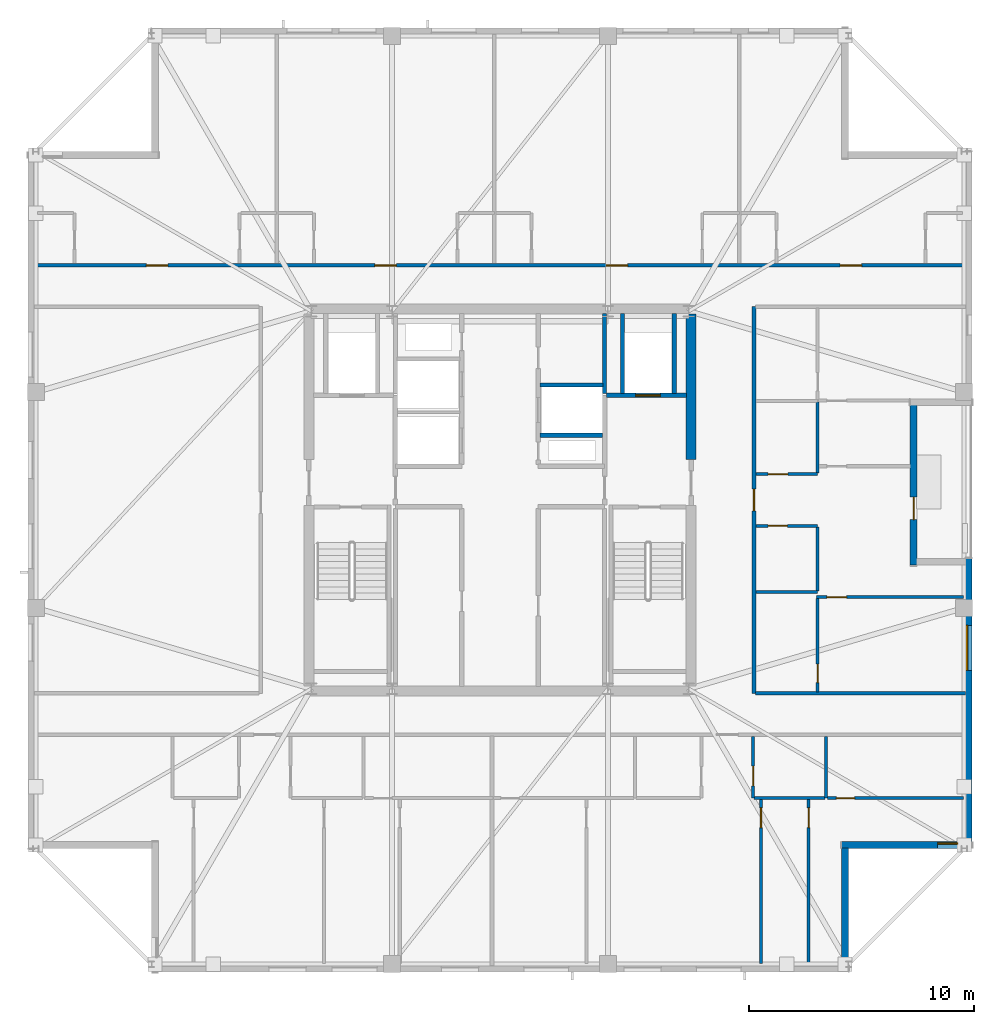
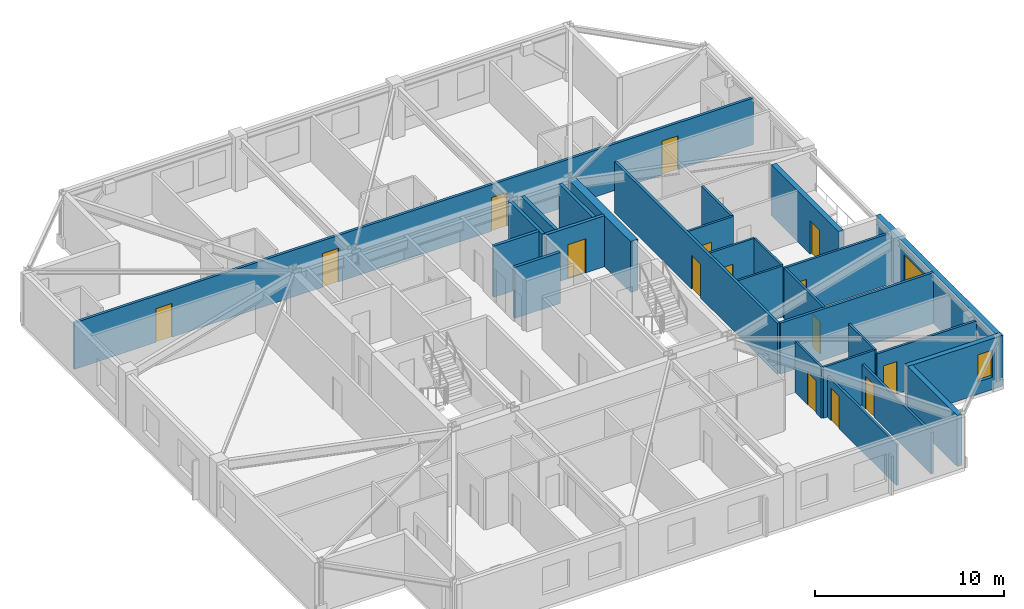
# One storey, part 9 of 14: 27 walls, 15 doors, 2 windows, 17 openings.
"""IFC4 building model written with IfcOpenShell, lengths in metres."""

import ifcopenshell
import ifcopenshell.guid

model = None  # the IFC model being written
_history = None  # IfcOwnerHistory: only IFC2X3 demands one
_inside = {}  # id of a spatial element -> (the spatial element, [elements in it])
_under = {}  # id of a project, library or spatial element -> (it, [spatial elements below it])
_declared = {}  # id of a project -> (the project, [libraries it declares])
_typed = {}  # id of a type object -> (the type object, [elements of that type])
_made_of = {}  # id of a material, layer set ... -> (it, [elements and type objects made of it])


def new_model(schema):
    """Start an empty IFC model of exactly this schema.

    Asked for "IFC4X3", IfcOpenShell would pick the latest addendum, in which some entities
    have other attributes; the version numbers below select the first issue.
    IFC2X3 requires an IfcOwnerHistory on every rooted entity: one is made here for all.
    """
    global model, _history
    if schema == "IFC4X3":
        model = ifcopenshell.file(schema_version=(4, 3, 0, 0))
    else:
        model = ifcopenshell.file(schema=schema)
    _inside.clear()
    _under.clear()
    _declared.clear()
    _typed.clear()
    _made_of.clear()
    _history = None
    if model.schema == "IFC2X3":
        org = make("IfcOrganization", Name="unknown")
        user = make(
            "IfcPersonAndOrganization",
            ThePerson=make("IfcPerson", FamilyName="unknown"),
            TheOrganization=org,
        )
        app = make(
            "IfcApplication",
            ApplicationDeveloper=org,
            Version="unknown",
            ApplicationFullName="unknown",
            ApplicationIdentifier="unknown",
        )
        _history = make(
            "IfcOwnerHistory",
            OwningUser=user,
            OwningApplication=app,
            ChangeAction="ADDED",
            CreationDate=0,
        )
    return model


def make(cls, **values):
    """One entity of the class cls with the attributes given. An attribute that is None is left unset."""
    return model.create_entity(
        cls, **{name: value for name, value in values.items() if value is not None}
    )


def rooted(cls, **values):
    """An entity with a GlobalId (a new one), such as an element, a storey or a relation."""
    return make(cls, GlobalId=ifcopenshell.guid.new(), OwnerHistory=_history, **values)


def si_unit(unit_type, name, prefix=None):
    """IfcSIUnit, for example si_unit("LENGTHUNIT", "METRE", prefix="MILLI")."""
    return make("IfcSIUnit", UnitType=unit_type, Prefix=prefix, Name=name)


def assignment(units):
    """IfcUnitAssignment: the units of a project."""
    return None if units is None else make("IfcUnitAssignment", Units=units)


def point(xyz):
    """IfcCartesianPoint."""
    return None if xyz is None else make("IfcCartesianPoint", Coordinates=xyz)


def direction(xyz):
    """IfcDirection."""
    return None if xyz is None else make("IfcDirection", DirectionRatios=xyz)


def frame(location, z_axis=None, x_axis=None):
    """IfcAxis2Placement3D, a coordinate frame: its origin and axes. An axis left out is left unset."""
    return make(
        "IfcAxis2Placement3D",
        Location=point(location),
        Axis=direction(z_axis),
        RefDirection=direction(x_axis),
    )


def frame_2d(location, x_axis=None):
    """IfcAxis2Placement2D, a coordinate frame in the plane: its origin and x axis."""
    return make(
        "IfcAxis2Placement2D", Location=point(location), RefDirection=direction(x_axis)
    )


def origin():
    """The frame at (0, 0, 0) with its axes left unset."""
    return frame((0.0, 0.0, 0.0))


def place(relative_to, where):
    """IfcLocalPlacement: puts the frame where relative to a parent placement (None: the world)."""
    return make(
        "IfcLocalPlacement", PlacementRelTo=relative_to, RelativePlacement=where
    )


def context(
    kind, dimensions, precision=None, world=None, true_north=None, identifier=None
):
    """IfcGeometricRepresentationContext, for example the 3D "Model" context."""
    return make(
        "IfcGeometricRepresentationContext",
        ContextIdentifier=identifier,
        ContextType=kind,
        CoordinateSpaceDimension=dimensions,
        Precision=precision,
        WorldCoordinateSystem=world,
        TrueNorth=true_north,
    )


def subcontext(parent, identifier, kind, view, scale=None):
    """IfcGeometricRepresentationSubContext, for example "Body" below "Model"."""
    return make(
        "IfcGeometricRepresentationSubContext",
        ContextIdentifier=identifier,
        ContextType=kind,
        ParentContext=parent,
        TargetScale=scale,
        TargetView=view,
    )


def project(units=None, contexts=None):
    """IfcProject with its units and contexts."""
    return rooted(
        "IfcProject",
        Name="project",
        RepresentationContexts=contexts,
        UnitsInContext=assignment(units),
    )


def spatial(cls, under=None, at=None, **own):
    """A site, building, storey or space (cls), placed at a placement, below another one or the project."""
    s = rooted(cls, ObjectPlacement=at, **own)
    if under is not None:
        _under.setdefault(under.id(), (under, []))[1].append(s)
    return s


def profile(cls, at=None, kind="AREA", **sizes):
    """A parametric profile (cls). Its sizes go by their IFC names, for example OverallWidth=200.0."""
    return make(cls, ProfileType=kind, Position=at, **sizes)


def rectangle(**sizes):
    """IfcRectangleProfileDef."""
    return profile("IfcRectangleProfileDef", **sizes)


def extrude(swept, where, along, depth):
    """IfcExtrudedAreaSolid: the profile swept, set in the frame where, extruded along a direction by depth."""
    return make(
        "IfcExtrudedAreaSolid",
        SweptArea=swept,
        Position=where,
        ExtrudedDirection=direction(along),
        Depth=depth,
    )


def shape(context_of_items, identifier, shape_type, items):
    """IfcShapeRepresentation: the items that make up one representation, for example the "Body"."""
    return make(
        "IfcShapeRepresentation",
        ContextOfItems=context_of_items,
        RepresentationIdentifier=identifier,
        RepresentationType=shape_type,
        Items=items,
    )


def material(Name=None, Category=None):
    """IfcMaterial."""
    return make("IfcMaterial", Name=Name, Category=Category)


def layer(
    of_material, thickness, ventilated=None, Name=None, Category=None, Priority=None
):
    """IfcMaterialLayer: one layer of a wall or slab, of a material (None: an air gap)."""
    return make(
        "IfcMaterialLayer",
        Material=of_material,
        LayerThickness=thickness,
        IsVentilated=ventilated,
        Name=Name,
        Category=Category,
        Priority=Priority,
    )


def layer_set(layers, Name=None):
    """IfcMaterialLayerSet."""
    return make("IfcMaterialLayerSet", MaterialLayers=layers, LayerSetName=Name)


def made_of(thing, what):
    """Note that an element or type object is made of a material, layer set ...; save() writes the relation."""
    if what is not None:
        _made_of.setdefault(what.id(), (what, []))[1].append(thing)
    return thing


def type_object(cls, material=None, **own):
    """A type object (cls), such as IfcWallType, which elements share."""
    return made_of(rooted(cls, **own), material)


def element(
    cls,
    number,
    at=None,
    inside=None,
    cuts=None,
    type_object=None,
    material=None,
    context=None,
    identifier="Body",
    shape_type=None,
    held_by="IfcProductDefinitionShape",
    body=None,
    shapes=None,
    **own,
):
    """One element of the class cls, such as IfcWall. Its Tag is "e" and its number.

    at: its placement. inside: the storey or other place that contains it. cuts: it is an
    opening in that element (IfcRelVoidsElement). A single representation is given by context,
    identifier, shape_type and body (its items); several are given by shapes. held_by: the class
    of the entity that holds the representations. save() writes the other relations.
    """
    e = rooted(cls, Tag="e%d" % number, ObjectPlacement=at, **own)
    if body is not None:
        shapes = [shape(context, identifier, shape_type, body)]
    if shapes is not None:
        e.Representation = make(held_by, Representations=shapes)
    if inside is not None:
        _inside.setdefault(inside.id(), (inside, []))[1].append(e)
    if cuts is not None:
        rooted(
            "IfcRelVoidsElement", RelatingBuildingElement=cuts, RelatedOpeningElement=e
        )
    if type_object is not None:
        _typed.setdefault(type_object.id(), (type_object, []))[1].append(e)
    return made_of(e, material)


def fill(opening, filler):
    """IfcRelFillsElement: the door or window that sits in an opening."""
    return rooted(
        "IfcRelFillsElement",
        RelatingOpeningElement=opening,
        RelatedBuildingElement=filler,
    )


def aggregate(whole, parts):
    """IfcRelAggregates: a whole, such as a stair, and the parts it consists of."""
    return rooted("IfcRelAggregates", RelatingObject=whole, RelatedObjects=parts)


def save(model, path):
    """Write the relations noted so far, then the file.

    IfcRelAggregates (storeys below a building ...), IfcRelContainedInSpatialStructure (elements
    in a storey), IfcRelDefinesByType, IfcRelAssociatesMaterial and IfcRelDeclares: one each for
    every whole, place, type object, material and project.
    """
    for whole, parts in _under.values():
        aggregate(whole, parts)
    for where, things in _inside.values():
        rooted(
            "IfcRelContainedInSpatialStructure",
            RelatedElements=things,
            RelatingStructure=where,
        )
    for kind, things in _typed.values():
        rooted("IfcRelDefinesByType", RelatedObjects=things, RelatingType=kind)
    for what, things in _made_of.values():
        rooted("IfcRelAssociatesMaterial", RelatedObjects=things, RelatingMaterial=what)
    for by, libraries in _declared.values():
        rooted("IfcRelDeclares", RelatingContext=by, RelatedDefinitions=libraries)
    model.write(path)


model = new_model("IFC4")

# Units and contexts
model_context = context("Model", 3, precision=1e-05, world=origin(), true_north=direction((0.0, 1.0)))
body_context = subcontext(model_context, "Body", "Model", "MODEL_VIEW")
ifc_project = project(units=[si_unit("LENGTHUNIT", "METRE"), si_unit("AREAUNIT", "SQUARE_METRE"), si_unit("VOLUMEUNIT", "CUBIC_METRE"), si_unit("PLANEANGLEUNIT", "RADIAN"), si_unit("MASSUNIT", "GRAM", prefix="KILO")], contexts=[model_context])

# Site, building, storey
site_placement = place(None, origin())
site = spatial("IfcSite", under=ifc_project, at=site_placement, CompositionType="ELEMENT")
building_placement = place(site_placement, origin())
building = spatial("IfcBuilding", under=site, at=building_placement, Name="Cairnveth Concourse Tower", CompositionType="ELEMENT")
storey_placement = place(building_placement, frame((0.0, 0.0, 308.5)))
storey = spatial("IfcBuildingStorey", under=building, at=storey_placement, Name="L85", CompositionType="ELEMENT", Elevation=308.5)

# Wall, openings, doors
ifc_material_1 = material(Name="Gypsum Plasterboard Partition", Category="gypsum")
ifc_layer_1 = layer(ifc_material_1, 0.159912109375)
ifc_layer_set_1 = layer_set([ifc_layer_1], Name="Gypsum Plasterboard Partition")
wall_type_1 = type_object("IfcWallType", Name="ACOUSTIC PARTY WALL 180", PredefinedType="PARTITIONING", material=ifc_layer_set_1)
wall_1_placement = place(storey_placement, frame((31.284912109375, 49.43505859375, 0.0), z_axis=(0.0, 0.0, 1.0), x_axis=(1.0, 0.0, 0.0)))
wall_1 = element("IfcWall", 1, at=wall_1_placement, inside=storey, type_object=wall_type_1, Name="Interior Wall IW-L85-034", PredefinedType="PARTITIONING", context=body_context, shape_type="SweptSolid", body=[
    extrude(rectangle(XDim=41.43017578125, YDim=0.159912109375, at=frame_2d((20.715087890625, 0.0))), origin(), (0.0, 0.0, 1.0), 3.009033203125),
])
opening_1_placement = place(wall_1_placement, frame((4.978759765625, 0.0, 0.0)))
opening_1 = element("IfcOpeningElement", 2, at=opening_1_placement, cuts=wall_1, Name="Opening ID10", PredefinedType="OPENING", context=body_context, shape_type="SweptSolid", body=[
    extrude(rectangle(XDim=0.9599609375, YDim=2.179931640625, at=frame_2d((0.47998046875, 1.08984375))), frame((0.0, 0.08984375, 0.0), z_axis=(0.0, -1.0, 0.0), x_axis=(1.0, 0.0, 0.0)), (0.0, 0.0, 1.0), 0.179931640625),
])
opening_2_placement = place(wall_1_placement, frame((15.14501953125, 0.0, 0.0)))
opening_2 = element("IfcOpeningElement", 3, at=opening_2_placement, cuts=wall_1, Name="Opening ID10", PredefinedType="OPENING", context=body_context, shape_type="SweptSolid", body=[
    extrude(rectangle(XDim=0.9599609375, YDim=2.179931640625, at=frame_2d((0.47998046875, 1.08984375))), frame((0.0, 0.08984375, 0.0), z_axis=(0.0, -1.0, 0.0), x_axis=(1.0, 0.0, 0.0)), (0.0, 0.0, 1.0), 0.179931640625),
])
opening_3_placement = place(wall_1_placement, frame((25.43505859375, 0.0, 0.0)))
opening_3 = element("IfcOpeningElement", 4, at=opening_3_placement, cuts=wall_1, Name="Opening ID10", PredefinedType="OPENING", context=body_context, shape_type="SweptSolid", body=[
    extrude(rectangle(XDim=0.9599609375, YDim=2.179931640625, at=frame_2d((0.47998046875, 1.08984375))), frame((0.0, 0.08984375, 0.0), z_axis=(0.0, -1.0, 0.0), x_axis=(1.0, 0.0, 0.0)), (0.0, 0.0, 1.0), 0.179931640625),
])
opening_4_placement = place(wall_1_placement, frame((35.848876953125, 0.0, 0.0)))
opening_4 = element("IfcOpeningElement", 5, at=opening_4_placement, cuts=wall_1, Name="Opening ID10", PredefinedType="OPENING", context=body_context, shape_type="SweptSolid", body=[
    extrude(rectangle(XDim=0.9599609375, YDim=2.179931640625, at=frame_2d((0.47998046875, 1.08984375))), frame((0.0, 0.08984375, 0.0), z_axis=(0.0, -1.0, 0.0), x_axis=(1.0, 0.0, 0.0)), (0.0, 0.0, 1.0), 0.179931640625),
])
ifc_material_2 = material(Name="Solid Core Hardwood Timber Leaf", Category="wood")
door_type_1 = type_object("IfcDoorType", Name="FLAT ENTRANCE DOOR 960X2150", OperationType="NOTDEFINED", PredefinedType="DOOR", material=ifc_material_2)
door_1_placement = place(opening_1_placement, origin())
door_1 = element("IfcDoor", 6, at=door_1_placement, inside=storey, type_object=door_type_1, Name="Studio L85STN1 Entrance Door", OperationType="SINGLE_SWING_RIGHT", OverallHeight=2.179931640625, OverallWidth=0.9599609375, PredefinedType="DOOR", context=body_context, shape_type="SweptSolid", body=[
    extrude(rectangle(XDim=0.9599609375, YDim=2.179931640625, at=frame_2d((0.47998046875, 1.08984375))), frame((0.0, 0.02490234375, 0.0), z_axis=(0.0, -1.0, 0.0), x_axis=(1.0, 0.0, 0.0)), (0.0, 0.0, 1.0), 0.050048828125),
])
fill(opening_1, door_1)
door_2_placement = place(opening_2_placement, origin())
door_2 = element("IfcDoor", 7, at=door_2_placement, inside=storey, type_object=door_type_1, Name="Studio L85STN2 Entrance Door", OperationType="SINGLE_SWING_LEFT", OverallHeight=2.179931640625, OverallWidth=0.9599609375, PredefinedType="DOOR", context=body_context, shape_type="SweptSolid", body=[
    extrude(rectangle(XDim=0.9599609375, YDim=2.179931640625, at=frame_2d((0.47998046875, 1.08984375))), frame((0.0, 0.02490234375, 0.0), z_axis=(0.0, -1.0, 0.0), x_axis=(1.0, 0.0, 0.0)), (0.0, 0.0, 1.0), 0.050048828125),
])
fill(opening_2, door_2)
door_3_placement = place(opening_3_placement, origin())
door_3 = element("IfcDoor", 8, at=door_3_placement, inside=storey, type_object=door_type_1, Name="Studio L85STN3 Entrance Door", OperationType="SINGLE_SWING_RIGHT", OverallHeight=2.179931640625, OverallWidth=0.9599609375, PredefinedType="DOOR", context=body_context, shape_type="SweptSolid", body=[
    extrude(rectangle(XDim=0.9599609375, YDim=2.179931640625, at=frame_2d((0.47998046875, 1.08984375))), frame((0.0, 0.02490234375, 0.0), z_axis=(0.0, -1.0, 0.0), x_axis=(1.0, 0.0, 0.0)), (0.0, 0.0, 1.0), 0.050048828125),
])
fill(opening_3, door_3)
door_4_placement = place(opening_4_placement, origin())
door_4 = element("IfcDoor", 9, at=door_4_placement, inside=storey, type_object=door_type_1, Name="Studio L85STN4 Entrance Door", OperationType="SINGLE_SWING_LEFT", OverallHeight=2.179931640625, OverallWidth=0.9599609375, PredefinedType="DOOR", context=body_context, shape_type="SweptSolid", body=[
    extrude(rectangle(XDim=0.9599609375, YDim=2.179931640625, at=frame_2d((0.47998046875, 1.08984375))), frame((0.0, 0.02490234375, 0.0), z_axis=(0.0, -1.0, 0.0), x_axis=(1.0, 0.0, 0.0)), (0.0, 0.0, 1.0), 0.050048828125),
])
fill(opening_4, door_4)

# Wall, opening, door
wall_2_placement = place(storey_placement, frame((63.300048828125, 30.39990234375, 0.0), z_axis=(0.0, 0.0, 1.0), x_axis=(0.0, 1.0, 0.0)))
wall_2 = element("IfcWall", 10, at=wall_2_placement, inside=storey, type_object=wall_type_1, Name="Interior Wall IW-L85-036", PredefinedType="PARTITIONING", context=body_context, shape_type="SweptSolid", body=[
    extrude(rectangle(XDim=17.2001953125, YDim=0.159912109375, at=frame_2d((8.60009765625, 0.0))), origin(), (0.0, 0.0, 1.0), 3.2900390625),
])
opening_5_placement = place(wall_2_placement, frame((8.1201171875, 0.0, 0.0)))
opening_5 = element("IfcOpeningElement", 11, at=opening_5_placement, cuts=wall_2, Name="Opening ID10", PredefinedType="OPENING", context=body_context, shape_type="SweptSolid", body=[
    extrude(rectangle(XDim=0.9599609375, YDim=2.179931640625, at=frame_2d((0.47998046875, 1.08984375))), frame((0.0, 0.08984375, 0.0), z_axis=(0.0, -1.0, 0.0), x_axis=(1.0, 0.0, 0.0)), (0.0, 0.0, 1.0), 0.179931640625),
])
door_5_placement = place(opening_5_placement, origin())
door_5 = element("IfcDoor", 12, at=door_5_placement, inside=storey, type_object=door_type_1, Name="Penthouse L85PE1 Entrance Door", OperationType="SINGLE_SWING_RIGHT", OverallHeight=2.179931640625, OverallWidth=0.9599609375, PredefinedType="DOOR", context=body_context, shape_type="SweptSolid", body=[
    extrude(rectangle(XDim=0.9599609375, YDim=2.179931640625, at=frame_2d((0.47998046875, 1.08984375))), frame((0.0, 0.02490234375, 0.0), z_axis=(0.0, -1.0, 0.0), x_axis=(1.0, 0.0, 0.0)), (0.0, 0.0, 1.0), 0.050048828125),
])
fill(opening_5, door_5)

# Walls
wall_3_placement = place(storey_placement, frame((63.364990234375, 30.39990234375, 0.0), z_axis=(0.0, 0.0, 1.0), x_axis=(1.0, 0.0, 0.0)))
element("IfcWall", 13, at=wall_3_placement, inside=storey, type_object=wall_type_1, Name="Interior Wall IW-L85-039", PredefinedType="PARTITIONING", context=body_context, shape_type="SweptSolid", body=[
    extrude(rectangle(XDim=9.35009765625, YDim=0.159912109375, at=frame_2d((4.675048828125, 0.0))), origin(), (0.0, 0.0, 1.0), 3.2900390625),
])
ifc_material_3 = material(Name="Concrete N65 (65 MPa)", Category="concrete")
ifc_layer_2 = layer(ifc_material_3, 0.449951171875)
ifc_layer_set_2 = layer_set([ifc_layer_2], Name="Concrete N65 (65 MPa)")
wall_type_2 = type_object("IfcWallType", Name="CORE SHEAR WALL 450", PredefinedType="SHEAR", material=ifc_layer_set_2)
wall_4_placement = place(storey_placement, frame((60.5, 40.800048828125, 0.0), z_axis=(0.0, 0.0, 1.0), x_axis=(0.0, 1.0, 0.0)))
element("IfcWall", 14, at=wall_4_placement, inside=storey, type_object=wall_type_2, Name="Core East Shear Wall N L85", PredefinedType="SHEAR", context=body_context, shape_type="SweptSolid", body=[
    extrude(rectangle(XDim=6.48486328125, YDim=0.449951171875, at=frame_2d((3.242431640625, 0.0))), origin(), (0.0, 0.0, 1.0), 3.2900390625),
])
ifc_material_4 = material(Name="Concrete N50 (50 MPa)", Category="concrete")
ifc_layer_3 = layer(ifc_material_4, 0.179931640625)
ifc_layer_set_3 = layer_set([ifc_layer_3], Name="Concrete N50 (50 MPa)")
wall_type_3 = type_object("IfcWallType", Name="FIRE SHAFT WALL 180", PredefinedType="SOLIDWALL", material=ifc_layer_set_3)
wall_5_placement = place(storey_placement, frame((56.64990234375, 43.735107421875, 0.0), z_axis=(0.0, 0.0, 1.0), x_axis=(0.0, 1.0, 0.0)))
element("IfcWall", 15, at=wall_5_placement, inside=storey, type_object=wall_type_3, Name="Interior Wall IW-L85-030", PredefinedType="SOLIDWALL", context=body_context, shape_type="SweptSolid", body=[
    extrude(rectangle(XDim=3.554931640625, YDim=0.179931640625, at=frame_2d((1.77734375, 0.0))), origin(), (0.0, 0.0, 1.0), 3.2900390625),
])
wall_6_placement = place(storey_placement, frame((53.784912109375, 41.8798828125, 0.0), z_axis=(0.0, 0.0, 1.0), x_axis=(1.0, 0.0, 0.0)))
element("IfcWall", 16, at=wall_6_placement, inside=storey, type_object=wall_type_3, Name="Interior Wall IW-L85-031", PredefinedType="SOLIDWALL", context=body_context, shape_type="SweptSolid", body=[
    extrude(rectangle(XDim=2.780029296875, YDim=0.179931640625, at=frame_2d((1.39013671875, 0.0))), origin(), (0.0, 0.0, 1.0), 3.2900390625),
])
wall_7_placement = place(storey_placement, frame((53.784912109375, 44.1201171875, 0.0), z_axis=(0.0, 0.0, 1.0), x_axis=(1.0, 0.0, 0.0)))
element("IfcWall", 17, at=wall_7_placement, inside=storey, type_object=wall_type_3, Name="Interior Wall IW-L85-032", PredefinedType="SOLIDWALL", context=body_context, shape_type="SweptSolid", body=[
    extrude(rectangle(XDim=2.7900390625, YDim=0.179931640625, at=frame_2d((1.39501953125, 0.0))), origin(), (0.0, 0.0, 1.0), 3.2900390625),
])

# Wall, opening, door
ifc_layer_4 = layer(ifc_material_4, 0.199951171875)
ifc_layer_set_4 = layer_set([ifc_layer_4], Name="Concrete N50 (50 MPa)")
wall_type_4 = type_object("IfcWallType", Name="FIRE SHAFT WALL 200", PredefinedType="SOLIDWALL", material=ifc_layer_set_4)
wall_8_placement = place(storey_placement, frame((56.735107421875, 43.64990234375, 0.0), z_axis=(0.0, 0.0, 1.0), x_axis=(1.0, 0.0, 0.0)))
wall_8 = element("IfcWall", 18, at=wall_8_placement, inside=storey, type_object=wall_type_4, Name="Interior Wall IW-L85-022", PredefinedType="SOLIDWALL", context=body_context, shape_type="SweptSolid", body=[
    extrude(rectangle(XDim=3.554931640625, YDim=0.199951171875, at=frame_2d((1.77734375, 0.0))), origin(), (0.0, 0.0, 1.0), 3.2900390625),
])
opening_6_placement = place(wall_8_placement, frame((1.294921875, 0.0, 0.0)))
opening_6 = element("IfcOpeningElement", 19, at=opening_6_placement, cuts=wall_8, Name="Opening LD-1", PredefinedType="OPENING", context=body_context, shape_type="SweptSolid", body=[
    extrude(rectangle(XDim=1.10009765625, YDim=2.199951171875, at=frame_2d((0.550048828125, 1.10009765625))), frame((0.0, 0.10986328125, 0.0), z_axis=(0.0, -1.0, 0.0), x_axis=(1.0, 0.0, 0.0)), (0.0, 0.0, 1.0), 0.219970703125),
])
ifc_material_5 = material(Name="Architectural Bronze Anodised Aluminium 6063-T6", Category="aluminium")
door_type_2 = type_object("IfcDoorType", Name="LIFT LANDING DOOR 1100X2200", OperationType="SLIDING_TO_LEFT", PredefinedType="DOOR", material=ifc_material_5)
door_6_placement = place(opening_6_placement, origin())
door_6 = element("IfcDoor", 20, at=door_6_placement, inside=storey, type_object=door_type_2, Name="Lift FFL2 Landing Door L85", OperationType="SLIDING_TO_LEFT", OverallHeight=2.199951171875, OverallWidth=1.10009765625, PredefinedType="DOOR", context=body_context, shape_type="SweptSolid", body=[
    extrude(rectangle(XDim=1.10009765625, YDim=2.199951171875, at=frame_2d((0.550048828125, 1.10009765625))), frame((0.0, 0.02490234375, 0.0), z_axis=(0.0, -1.0, 0.0), x_axis=(1.0, 0.0, 0.0)), (0.0, 0.0, 1.0), 0.050048828125),
])
fill(opening_6, door_6)

# Walls
for number, where, z_axis, x_axis, name in (
    (21, (57.449951171875, 43.735107421875, 0.0), (0.0, 0.0, 1.0), (0.0, 1.0, 0.0), "Interior Wall IW-L85-023"),
    (22, (59.75, 43.735107421875, 0.0), (0.0, 0.0, 1.0), (0.0, 1.0, 0.0), "Interior Wall IW-L85-024"),
):
    element("IfcWall", number, at=place(storey_placement, frame(where, z_axis=z_axis, x_axis=x_axis)), inside=storey, type_object=wall_type_4, Name=name, PredefinedType="SOLIDWALL", context=body_context, shape_type="SweptSolid", body=[
        extrude(rectangle(XDim=3.554931640625, YDim=0.199951171875, at=frame_2d((1.77734375, 0.0))), origin(), (0.0, 0.0, 1.0), 3.2900390625),
    ])

# Wall, opening, door
ifc_layer_5 = layer(ifc_material_1, 0.139892578125)
ifc_layer_set_5 = layer_set([ifc_layer_5], Name="Gypsum Plasterboard Partition")
wall_type_5 = type_object("IfcWallType", Name="GYPSUM STUD PARTITION 140", PredefinedType="PARTITIONING", material=ifc_layer_set_5)
wall_9_placement = place(storey_placement, frame((65.72998046875, 18.3798828125, 0.0), z_axis=(0.0, 0.0, 1.0), x_axis=(0.0, 1.0, 0.0)))
wall_9 = element("IfcWall", 23, at=wall_9_placement, inside=storey, type_object=wall_type_5, Name="Interior Wall IW-L85-060", PredefinedType="PARTITIONING", context=body_context, shape_type="SweptSolid", body=[
    extrude(rectangle(XDim=7.30517578125, YDim=0.139892578125, at=frame_2d((3.652587890625, 0.0))), origin(), (0.0, 0.0, 1.0), 2.653076171875),
])
opening_7_placement = place(wall_9_placement, frame((6.044921875, 0.0, 0.0)))
opening_7 = element("IfcOpeningElement", 24, at=opening_7_placement, cuts=wall_9, Name="Opening ID18", PredefinedType="OPENING", context=body_context, shape_type="SweptSolid", body=[
    extrude(rectangle(XDim=0.8798828125, YDim=2.10009765625, at=frame_2d((0.43994140625, 1.050048828125))), frame((0.0, 0.079833984375, 0.0), z_axis=(0.0, -1.0, 0.0), x_axis=(1.0, 0.0, 0.0)), (0.0, 0.0, 1.0), 0.159912109375),
])
door_type_3 = type_object("IfcDoorType", Name="INTERIOR SINGLE DOOR 880X2100", OperationType="NOTDEFINED", PredefinedType="DOOR", material=ifc_material_2)
door_7_placement = place(opening_7_placement, origin())
door_7 = element("IfcDoor", 25, at=door_7_placement, inside=storey, type_object=door_type_3, Name="L85PS2 Bedroom 2 Door", OperationType="SINGLE_SWING_LEFT", OverallHeight=2.10009765625, OverallWidth=0.8798828125, PredefinedType="DOOR", context=body_context, shape_type="SweptSolid", body=[
    extrude(rectangle(XDim=0.8798828125, YDim=2.10009765625, at=frame_2d((0.43994140625, 1.050048828125))), frame((0.0, 0.02490234375, 0.0), z_axis=(0.0, -1.0, 0.0), x_axis=(1.0, 0.0, 0.0)), (0.0, 0.0, 1.0), 0.050048828125),
])
fill(opening_7, door_7)

wall_10_placement = place(storey_placement, frame((66.561279296875, 25.735107421875, 0.0), z_axis=(0.0, 0.0, 1.0), x_axis=(1.0, 0.0, 0.0)))
wall_10 = element("IfcWall", 26, at=wall_10_placement, inside=storey, type_object=wall_type_5, Name="Interior Wall IW-L85-061", PredefinedType="PARTITIONING", context=body_context, shape_type="SweptSolid", body=[
    extrude(rectangle(XDim=6.068603515625, YDim=0.139892578125, at=frame_2d((3.0341796875, 0.0))), origin(), (0.0, 0.0, 1.0), 3.009033203125),
])
opening_8_placement = place(wall_10_placement, frame((0.39990234375, 0.0, 0.0)))
opening_8 = element("IfcOpeningElement", 27, at=opening_8_placement, cuts=wall_10, Name="Opening ID22", PredefinedType="OPENING", context=body_context, shape_type="SweptSolid", body=[
    extrude(rectangle(XDim=0.820068359375, YDim=2.10009765625, at=frame_2d((0.41015625, 1.050048828125))), frame((0.0, 0.079833984375, 0.0), z_axis=(0.0, -1.0, 0.0), x_axis=(1.0, 0.0, 0.0)), (0.0, 0.0, 1.0), 0.159912109375),
])
door_type_4 = type_object("IfcDoorType", Name="INTERIOR WC DOOR 820X2100", OperationType="NOTDEFINED", PredefinedType="DOOR", material=ifc_material_2)
door_8_placement = place(opening_8_placement, origin())
door_8 = element("IfcDoor", 28, at=door_8_placement, inside=storey, type_object=door_type_4, Name="L85PS2 Utility Door", OperationType="SINGLE_SWING_RIGHT", OverallHeight=2.10009765625, OverallWidth=0.820068359375, PredefinedType="DOOR", context=body_context, shape_type="SweptSolid", body=[
    extrude(rectangle(XDim=0.820068359375, YDim=2.10009765625, at=frame_2d((0.41015625, 1.050048828125))), frame((0.0, 0.02490234375, 0.0), z_axis=(0.0, -1.0, 0.0), x_axis=(1.0, 0.0, 0.0)), (0.0, 0.0, 1.0), 0.050048828125),
])
fill(opening_8, door_8)

wall_11_placement = place(storey_placement, frame((63.611083984375, 18.3798828125, 0.0), z_axis=(0.0, 0.0, 1.0), x_axis=(0.0, 1.0, 0.0)))
wall_11 = element("IfcWall", 29, at=wall_11_placement, inside=storey, type_object=wall_type_5, Name="Interior Wall IW-L85-062", PredefinedType="PARTITIONING", context=body_context, shape_type="SweptSolid", body=[
    extrude(rectangle(XDim=7.30517578125, YDim=0.139892578125, at=frame_2d((3.652587890625, 0.0))), origin(), (0.0, 0.0, 1.0), 2.653076171875),
])
opening_9_placement = place(wall_11_placement, frame((6.044921875, 0.0, 0.0)))
opening_9 = element("IfcOpeningElement", 30, at=opening_9_placement, cuts=wall_11, Name="Opening ID18", PredefinedType="OPENING", context=body_context, shape_type="SweptSolid", body=[
    extrude(rectangle(XDim=0.8798828125, YDim=2.10009765625, at=frame_2d((0.43994140625, 1.050048828125))), frame((0.0, 0.079833984375, 0.0), z_axis=(0.0, -1.0, 0.0), x_axis=(1.0, 0.0, 0.0)), (0.0, 0.0, 1.0), 0.159912109375),
])
door_9_placement = place(opening_9_placement, origin())
door_9 = element("IfcDoor", 31, at=door_9_placement, inside=storey, type_object=door_type_3, Name="L85PS2 Media Lounge Door", OperationType="SINGLE_SWING_RIGHT", OverallHeight=2.10009765625, OverallWidth=0.8798828125, PredefinedType="DOOR", context=body_context, shape_type="SweptSolid", body=[
    extrude(rectangle(XDim=0.8798828125, YDim=2.10009765625, at=frame_2d((0.43994140625, 1.050048828125))), frame((0.0, 0.02490234375, 0.0), z_axis=(0.0, -1.0, 0.0), x_axis=(1.0, 0.0, 0.0)), (0.0, 0.0, 1.0), 0.050048828125),
])
fill(opening_9, door_9)

wall_12_placement = place(storey_placement, frame((66.090087890625, 34.679931640625, 0.0), z_axis=(0.0, 0.0, 1.0), x_axis=(1.0, 0.0, 0.0)))
wall_12 = element("IfcWall", 32, at=wall_12_placement, inside=storey, type_object=wall_type_5, Name="Interior Wall IW-L85-088", PredefinedType="PARTITIONING", context=body_context, shape_type="SweptSolid", body=[
    extrude(rectangle(XDim=6.530029296875, YDim=0.139892578125, at=frame_2d((3.26513671875, 0.0))), origin(), (0.0, 0.0, 1.0), 3.2900390625),
])
opening_10_placement = place(wall_12_placement, frame((0.449951171875, 0.0, 0.0)))
opening_10 = element("IfcOpeningElement", 33, at=opening_10_placement, cuts=wall_12, Name="Opening ID18", PredefinedType="OPENING", context=body_context, shape_type="SweptSolid", body=[
    extrude(rectangle(XDim=0.8798828125, YDim=2.10009765625, at=frame_2d((0.43994140625, 1.050048828125))), frame((0.0, 0.079833984375, 0.0), z_axis=(0.0, -1.0, 0.0), x_axis=(1.0, 0.0, 0.0)), (0.0, 0.0, 1.0), 0.159912109375),
])
door_10_placement = place(opening_10_placement, origin())
door_10 = element("IfcDoor", 34, at=door_10_placement, inside=storey, type_object=door_type_3, Name="L85PE1 Master Bedroom Door", OperationType="SINGLE_SWING_RIGHT", OverallHeight=2.10009765625, OverallWidth=0.8798828125, PredefinedType="DOOR", context=body_context, shape_type="SweptSolid", body=[
    extrude(rectangle(XDim=0.8798828125, YDim=2.10009765625, at=frame_2d((0.43994140625, 1.050048828125))), frame((0.0, 0.02490234375, 0.0), z_axis=(0.0, -1.0, 0.0), x_axis=(1.0, 0.0, 0.0)), (0.0, 0.0, 1.0), 0.050048828125),
])
fill(opening_10, door_10)

wall_13_placement = place(storey_placement, frame((66.1298828125, 30.465087890625, 0.0), z_axis=(0.0, 0.0, 1.0), x_axis=(0.0, 1.0, 0.0)))
wall_13 = element("IfcWall", 35, at=wall_13_placement, inside=storey, type_object=wall_type_5, Name="Interior Wall IW-L85-089", PredefinedType="PARTITIONING", context=body_context, shape_type="SweptSolid", body=[
    extrude(rectangle(XDim=4.159912109375, YDim=0.139892578125, at=frame_2d((2.080078125, 0.0))), origin(), (0.0, 0.0, 1.0), 3.2900390625),
])
opening_11_placement = place(wall_13_placement, frame((0.4150390625, 0.0, 0.0)))
opening_11 = element("IfcOpeningElement", 36, at=opening_11_placement, cuts=wall_13, Name="Opening ID22", PredefinedType="OPENING", context=body_context, shape_type="SweptSolid", body=[
    extrude(rectangle(XDim=0.820068359375, YDim=2.10009765625, at=frame_2d((0.41015625, 1.050048828125))), frame((0.0, 0.079833984375, 0.0), z_axis=(0.0, -1.0, 0.0), x_axis=(1.0, 0.0, 0.0)), (0.0, 0.0, 1.0), 0.159912109375),
])
door_11_placement = place(opening_11_placement, origin())
door_11 = element("IfcDoor", 37, at=door_11_placement, inside=storey, type_object=door_type_4, Name="L85PE1 Dressing Door", OperationType="SINGLE_SWING_LEFT", OverallHeight=2.10009765625, OverallWidth=0.820068359375, PredefinedType="DOOR", context=body_context, shape_type="SweptSolid", body=[
    extrude(rectangle(XDim=0.820068359375, YDim=2.10009765625, at=frame_2d((0.41015625, 1.050048828125))), frame((0.0, 0.02490234375, 0.0), z_axis=(0.0, -1.0, 0.0), x_axis=(1.0, 0.0, 0.0)), (0.0, 0.0, 1.0), 0.050048828125),
])
fill(opening_11, door_11)

# Wall
ifc_layer_6 = layer(ifc_material_1, 0.1298828125)
ifc_layer_set_6 = layer_set([ifc_layer_6], Name="Gypsum Plasterboard Partition")
wall_type_6 = type_object("IfcWallType", Name="WET AREA PARTITION 140", PredefinedType="PLUMBINGWALL", material=ifc_layer_set_6)
wall_14_placement = place(storey_placement, frame((66.51123046875, 25.735107421875, 0.0), z_axis=(0.0, 0.0, 1.0), x_axis=(0.0, 1.0, 0.0)))
element("IfcWall", 38, at=wall_14_placement, inside=storey, type_object=wall_type_6, Name="Interior Wall IW-L85-055", PredefinedType="PLUMBINGWALL", context=body_context, shape_type="SweptSolid", body=[
    extrude(rectangle(XDim=2.75, YDim=0.1298828125, at=frame_2d((1.375, 0.0))), origin(), (0.0, 0.0, 1.0), 3.2900390625),
])

# Wall, opening, door
wall_15_placement = place(storey_placement, frame((63.26123046875, 25.735107421875, 0.0), z_axis=(0.0, 0.0, 1.0), x_axis=(0.0, 1.0, 0.0)))
wall_15 = element("IfcWall", 39, at=wall_15_placement, inside=storey, type_object=wall_type_6, Name="Interior Wall IW-L85-056", PredefinedType="PLUMBINGWALL", context=body_context, shape_type="SweptSolid", body=[
    extrude(rectangle(XDim=2.75, YDim=0.1298828125, at=frame_2d((1.375, 0.0))), origin(), (0.0, 0.0, 1.0), 3.2900390625),
])
opening_12_placement = place(wall_15_placement, frame((0.550048828125, 0.0, 0.0)))
opening_12 = element("IfcOpeningElement", 40, at=opening_12_placement, cuts=wall_15, Name="Opening ID18", PredefinedType="OPENING", context=body_context, shape_type="SweptSolid", body=[
    extrude(rectangle(XDim=0.8798828125, YDim=2.10009765625, at=frame_2d((0.43994140625, 1.050048828125))), frame((0.0, 0.074951171875, 0.0), z_axis=(0.0, -1.0, 0.0), x_axis=(1.0, 0.0, 0.0)), (0.0, 0.0, 1.0), 0.14990234375),
])
door_12_placement = place(opening_12_placement, origin())
door_12 = element("IfcDoor", 41, at=door_12_placement, inside=storey, type_object=door_type_3, Name="L85PS2 Kitchen Door", OperationType="SINGLE_SWING_LEFT", OverallHeight=2.10009765625, OverallWidth=0.8798828125, PredefinedType="DOOR", context=body_context, shape_type="SweptSolid", body=[
    extrude(rectangle(XDim=0.8798828125, YDim=2.10009765625, at=frame_2d((0.43994140625, 1.050048828125))), frame((0.0, 0.02490234375, 0.0), z_axis=(0.0, -1.0, 0.0), x_axis=(1.0, 0.0, 0.0)), (0.0, 0.0, 1.0), 0.050048828125),
])
fill(opening_12, door_12)

# Walls
wall_16_placement = place(storey_placement, frame((63.311279296875, 25.735107421875, 0.0), z_axis=(0.0, 0.0, 1.0), x_axis=(1.0, 0.0, 0.0)))
element("IfcWall", 42, at=wall_16_placement, inside=storey, type_object=wall_type_6, Name="Interior Wall IW-L85-057", PredefinedType="PLUMBINGWALL", context=body_context, shape_type="SweptSolid", body=[
    extrude(rectangle(XDim=3.14990234375, YDim=0.1298828125, at=frame_2d((1.574951171875, 0.0))), origin(), (0.0, 0.0, 1.0), 3.2900390625),
])
wall_17_placement = place(storey_placement, frame((63.3798828125, 34.89990234375, 0.0), z_axis=(0.0, 0.0, 1.0), x_axis=(1.0, 0.0, 0.0)))
element("IfcWall", 43, at=wall_17_placement, inside=storey, type_object=wall_type_6, Name="Interior Wall IW-L85-082", PredefinedType="PLUMBINGWALL", context=body_context, shape_type="SweptSolid", body=[
    extrude(rectangle(XDim=2.75, YDim=0.1298828125, at=frame_2d((1.375, 0.0))), origin(), (0.0, 0.0, 1.0), 3.2900390625),
])

# Wall, opening, door
wall_18_placement = place(storey_placement, frame((63.3798828125, 37.85009765625, 0.0), z_axis=(0.0, 0.0, 1.0), x_axis=(1.0, 0.0, 0.0)))
wall_18 = element("IfcWall", 44, at=wall_18_placement, inside=storey, type_object=wall_type_6, Name="Interior Wall IW-L85-083", PredefinedType="PLUMBINGWALL", context=body_context, shape_type="SweptSolid", body=[
    extrude(rectangle(XDim=2.75, YDim=0.1298828125, at=frame_2d((1.375, 0.0))), origin(), (0.0, 0.0, 1.0), 3.2900390625),
])
opening_13_placement = place(wall_18_placement, frame((0.550048828125, 0.0, 0.0)))
opening_13 = element("IfcOpeningElement", 45, at=opening_13_placement, cuts=wall_18, Name="Opening ID21", PredefinedType="OPENING", context=body_context, shape_type="SweptSolid", body=[
    extrude(rectangle(XDim=0.85009765625, YDim=2.080078125, at=frame_2d((0.425048828125, 1.0400390625))), frame((0.0, 0.074951171875, 0.0), z_axis=(0.0, -1.0, 0.0), x_axis=(1.0, 0.0, 0.0)), (0.0, 0.0, 1.0), 0.14990234375),
])
door_type_5 = type_object("IfcDoorType", Name="INTERIOR WC DOOR 850X2100", OperationType="NOTDEFINED", PredefinedType="DOOR", material=ifc_material_2)
door_13_placement = place(opening_13_placement, origin())
door_13 = element("IfcDoor", 46, at=door_13_placement, inside=storey, type_object=door_type_5, Name="L85PE1 Bathroom Door", OperationType="SINGLE_SWING_LEFT", OverallHeight=2.080078125, OverallWidth=0.85009765625, PredefinedType="DOOR", context=body_context, shape_type="SweptSolid", body=[
    extrude(rectangle(XDim=0.85009765625, YDim=2.080078125, at=frame_2d((0.425048828125, 1.0400390625))), frame((0.0, 0.02490234375, 0.0), z_axis=(0.0, -1.0, 0.0), x_axis=(1.0, 0.0, 0.0)), (0.0, 0.0, 1.0), 0.050048828125),
])
fill(opening_13, door_13)

# Wall
wall_19_placement = place(storey_placement, frame((66.1298828125, 34.949951171875, 0.0), z_axis=(0.0, 0.0, 1.0), x_axis=(0.0, 1.0, 0.0)))
element("IfcWall", 47, at=wall_19_placement, inside=storey, type_object=wall_type_6, Name="Interior Wall IW-L85-084", PredefinedType="PLUMBINGWALL", context=body_context, shape_type="SweptSolid", body=[
    extrude(rectangle(XDim=2.85009765625, YDim=0.1298828125, at=frame_2d((1.425048828125, 0.0))), origin(), (0.0, 0.0, 1.0), 3.2900390625),
])

# Wall, opening, door
wall_20_placement = place(storey_placement, frame((63.3798828125, 40.14990234375, 0.0), z_axis=(0.0, 0.0, 1.0), x_axis=(1.0, 0.0, 0.0)))
wall_20 = element("IfcWall", 48, at=wall_20_placement, inside=storey, type_object=wall_type_6, Name="Interior Wall IW-L85-086", PredefinedType="PLUMBINGWALL", context=body_context, shape_type="SweptSolid", body=[
    extrude(rectangle(XDim=2.75, YDim=0.1298828125, at=frame_2d((1.375, 0.0))), origin(), (0.0, 0.0, 1.0), 3.2900390625),
])
opening_14_placement = place(wall_20_placement, frame((0.550048828125, 0.0, 0.0)))
opening_14 = element("IfcOpeningElement", 49, at=opening_14_placement, cuts=wall_20, Name="Opening ID18", PredefinedType="OPENING", context=body_context, shape_type="SweptSolid", body=[
    extrude(rectangle(XDim=0.8798828125, YDim=2.10009765625, at=frame_2d((0.43994140625, 1.050048828125))), frame((0.0, 0.074951171875, 0.0), z_axis=(0.0, -1.0, 0.0), x_axis=(1.0, 0.0, 0.0)), (0.0, 0.0, 1.0), 0.14990234375),
])
door_14_placement = place(opening_14_placement, origin())
door_14 = element("IfcDoor", 50, at=door_14_placement, inside=storey, type_object=door_type_3, Name="L85PE1 Kitchen Door", OperationType="SINGLE_SWING_RIGHT", OverallHeight=2.10009765625, OverallWidth=0.8798828125, PredefinedType="DOOR", context=body_context, shape_type="SweptSolid", body=[
    extrude(rectangle(XDim=0.8798828125, YDim=2.10009765625, at=frame_2d((0.43994140625, 1.050048828125))), frame((0.0, 0.02490234375, 0.0), z_axis=(0.0, -1.0, 0.0), x_axis=(1.0, 0.0, 0.0)), (0.0, 0.0, 1.0), 0.050048828125),
])
fill(opening_14, door_14)

# Wall
wall_21_placement = place(storey_placement, frame((66.1298828125, 40.199951171875, 0.0), z_axis=(0.0, 0.0, 1.0), x_axis=(0.0, 1.0, 0.0)))
element("IfcWall", 51, at=wall_21_placement, inside=storey, type_object=wall_type_6, Name="Interior Wall IW-L85-087", PredefinedType="PLUMBINGWALL", context=body_context, shape_type="SweptSolid", body=[
    extrude(rectangle(XDim=3.150146484375, YDim=0.1298828125, at=frame_2d((1.5751953125, 0.0))), origin(), (0.0, 0.0, 1.0), 3.2900390625),
])

# Wall, opening, window
ifc_material_6 = material(Name="Hawthorn Red-Ochre Fired Clay Brick Masonry", Category="masonry")
ifc_layer_7 = layer(ifc_material_6, 0.300048828125)
ifc_layer_set_7 = layer_set([ifc_layer_7], Name="Hawthorn Red-Ochre Fired Clay Brick Masonry")
wall_type_7 = type_object("IfcWallType", Name="ZONE 4 BRICK PIER SPANDREL WALL 300", PredefinedType="SOLIDWALL", material=ifc_layer_set_7)
wall_22_placement = place(storey_placement, frame((72.85009765625, 36.39990234375, 0.0), z_axis=(0.0, 0.0, 1.0), x_axis=(0.0, -1.0, 0.0)))
wall_22 = element("IfcWall", 52, at=wall_22_placement, inside=storey, type_object=wall_type_7, Name="Exterior Wall EW-L85-S00", PredefinedType="SOLIDWALL", context=body_context, shape_type="SweptSolid", body=[
    extrude(rectangle(XDim=12.621826171875, YDim=0.300048828125, at=frame_2d((6.31103515625, 0.0))), origin(), (0.0, 0.0, 1.0), 3.2900390625),
])
opening_15_placement = place(wall_22_placement, frame((2.98046875, 0.0, 0.800048828125)))
opening_15 = element("IfcOpeningElement", 53, at=opening_15_placement, cuts=wall_22, Name="Opening W09", PredefinedType="OPENING", context=body_context, shape_type="SweptSolid", body=[
    extrude(rectangle(XDim=2.0, YDim=1.758056640625, at=frame_2d((1.0, 0.87890625))), frame((0.0, 0.159912109375, 0.0), z_axis=(0.0, -1.0, 0.0), x_axis=(1.0, 0.0, 0.0)), (0.0, 0.0, 1.0), 0.320068359375),
])
ifc_material_7 = material(Name="Double Glazed Low-E Clear Glass", Category="glass")
window_type_1 = type_object("IfcWindowType", Name="DEEP-SET PENTHOUSE LANCET WINDOW 2000X1850", PartitioningType="DOUBLE_PANEL_VERTICAL", PredefinedType="WINDOW", material=ifc_material_7)
window_1_placement = place(opening_15_placement, origin())
window_1 = element("IfcWindow", 54, at=window_1_placement, inside=storey, type_object=window_type_1, Name="Gothic Lancet Window L85-0-1", OverallHeight=1.758056640625, OverallWidth=2.0, PartitioningType="SINGLE_PANEL", PredefinedType="WINDOW", context=body_context, shape_type="SweptSolid", body=[
    extrude(rectangle(XDim=2.0, YDim=1.758056640625, at=frame_2d((1.0, 0.87890625))), frame((0.0, -0.050048828125, 0.0), z_axis=(0.0, -1.0, 0.0), x_axis=(1.0, 0.0, 0.0)), (0.0, 0.0, 1.0), 0.06005859375),
])
fill(opening_15, window_1)

wall_23_placement = place(storey_placement, frame((73.0, 23.64990234375, 0.0), z_axis=(0.0, 0.0, 1.0), x_axis=(-1.0, 0.0, 0.0)))
wall_23 = element("IfcWall", 55, at=wall_23_placement, inside=storey, type_object=wall_type_7, Name="Exterior Wall EW-L85-S01", PredefinedType="SOLIDWALL", context=body_context, shape_type="SweptSolid", body=[
    extrude(rectangle(XDim=5.800048828125, YDim=0.300048828125, at=frame_2d((2.89990234375, 0.0))), origin(), (0.0, 0.0, 1.0), 3.2900390625),
])
opening_16_placement = place(wall_23_placement, frame((0.6298828125, 0.0, 0.800048828125)))
opening_16 = element("IfcOpeningElement", 56, at=opening_16_placement, cuts=wall_23, Name="Opening W13", PredefinedType="OPENING", context=body_context, shape_type="SweptSolid", body=[
    extrude(rectangle(XDim=0.89990234375, YDim=1.75, at=frame_2d((0.449951171875, 0.875))), frame((0.0, 0.159912109375, 0.0), z_axis=(0.0, -1.0, 0.0), x_axis=(1.0, 0.0, 0.0)), (0.0, 0.0, 1.0), 0.320068359375),
])
window_type_2 = type_object("IfcWindowType", Name="DEEP-SET BEDROOM LANCET WINDOW 900X1750", PartitioningType="DOUBLE_PANEL_VERTICAL", PredefinedType="WINDOW", material=ifc_material_7)
window_2_placement = place(opening_16_placement, origin())
window_2 = element("IfcWindow", 57, at=window_2_placement, inside=storey, type_object=window_type_2, Name="Dwelling Lancet Window L85-DW2", OverallHeight=1.75, OverallWidth=0.89990234375, PartitioningType="SINGLE_PANEL", PredefinedType="WINDOW", context=body_context, shape_type="SweptSolid", body=[
    extrude(rectangle(XDim=0.89990234375, YDim=1.75, at=frame_2d((0.449951171875, 0.875))), frame((0.0, -0.0400390625, 0.0), z_axis=(0.0, -1.0, 0.0), x_axis=(1.0, 0.0, 0.0)), (0.0, 0.0, 1.0), 0.06005859375),
])
fill(opening_16, window_2)

# Wall
wall_24_placement = place(storey_placement, frame((67.35009765625, 23.52197265625, 0.0), z_axis=(0.0, 0.0, 1.0), x_axis=(0.0, -1.0, 0.0)))
element("IfcWall", 58, at=wall_24_placement, inside=storey, type_object=wall_type_7, Name="Exterior Wall EW-L85-S02", PredefinedType="SOLIDWALL", context=body_context, shape_type="SweptSolid", body=[
    extrude(rectangle(XDim=5.243896484375, YDim=0.300048828125, at=frame_2d((2.6220703125, 0.0))), origin(), (0.0, 0.0, 1.0), 3.2900390625),
])

# Wall, opening, door
wall_25_placement = place(storey_placement, frame((70.39990234375, 43.221923828125, 0.0), z_axis=(0.0, 0.0, 1.0), x_axis=(0.0, -1.0, 0.0)))
wall_25 = element("IfcWall", 59, at=wall_25_placement, inside=storey, type_object=wall_type_7, Name="Exterior Wall EW-L85-S14", PredefinedType="SOLIDWALL", context=body_context, shape_type="SweptSolid", body=[
    extrude(rectangle(XDim=7.121826171875, YDim=0.300048828125, at=frame_2d((3.56103515625, 0.0))), origin(), (0.0, 0.0, 1.0), 3.2900390625),
])
opening_17_placement = place(wall_25_placement, frame((4.096923828125, 0.0, 0.0)))
opening_17 = element("IfcOpeningElement", 60, at=opening_17_placement, cuts=wall_25, Name="Opening ED4", PredefinedType="OPENING", context=body_context, shape_type="SweptSolid", body=[
    extrude(rectangle(XDim=1.0, YDim=2.14990234375, at=frame_2d((0.5, 1.074951171875))), frame((0.0, 0.159912109375, 0.0), z_axis=(0.0, -1.0, 0.0), x_axis=(1.0, 0.0, 0.0)), (0.0, 0.0, 1.0), 0.320068359375),
])
door_type_6 = type_object("IfcDoorType", Name="TERRACE GLAZED DOOR 1000X2150", OperationType="NOTDEFINED", PredefinedType="DOOR", material=ifc_material_5)
door_15_placement = place(opening_17_placement, origin())
door_15 = element("IfcDoor", 61, at=door_15_placement, inside=storey, type_object=door_type_6, Name="Spiral Terrace Door L85", OperationType="SINGLE_SWING_RIGHT", OverallHeight=2.14990234375, OverallWidth=1.0, PredefinedType="DOOR", context=body_context, shape_type="SweptSolid", body=[
    extrude(rectangle(XDim=1.0, YDim=2.14990234375, at=frame_2d((0.5, 1.074951171875))), frame((0.0, 0.02490234375, 0.0), z_axis=(0.0, -1.0, 0.0), x_axis=(1.0, 0.0, 0.0)), (0.0, 0.0, 1.0), 0.050048828125),
])
fill(opening_17, door_15)

save(model, "model.ifc")
